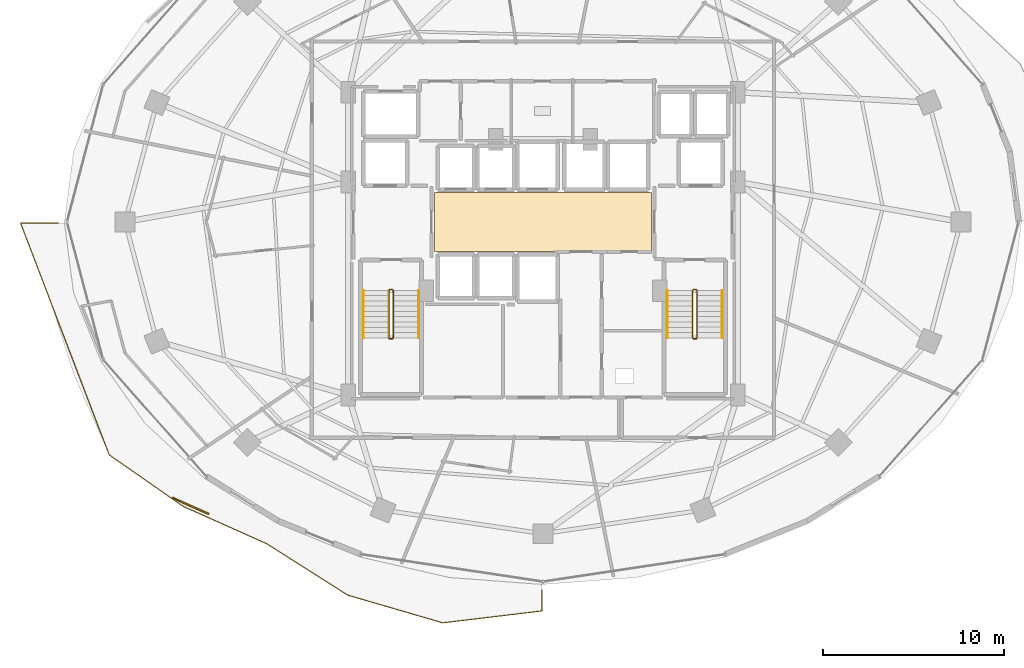
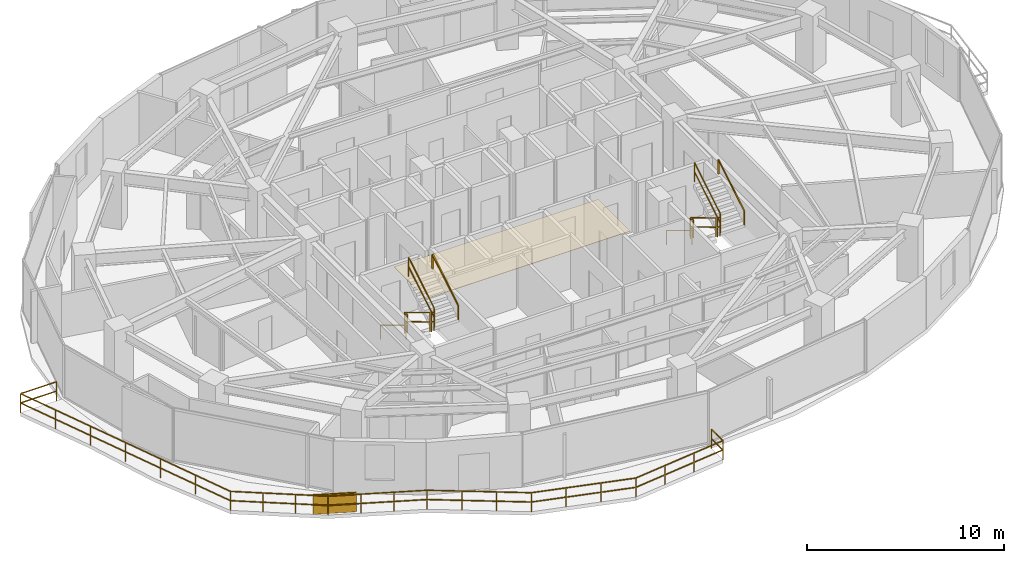
# One storey, part 27 of 29: 14 railings, 1 covering, 1 shading device.
"""IFC4 building model written with IfcOpenShell, lengths in metres."""

from ifc_helpers import new_model, si_unit, direction, frame, origin, origin_2d, place, context, subcontext, project, spatial, polyline, rectangle, outline, extrude, material, layer, layer_set, type_object, element, save


model = new_model("IFC4")

# Units and contexts
model_context = context("Model", 3, precision=1e-05, world=origin(), true_north=direction((0.0, 1.0)))
body_context = subcontext(model_context, "Body", "Model", "MODEL_VIEW")
ifc_project = project(units=[si_unit("LENGTHUNIT", "METRE"), si_unit("AREAUNIT", "SQUARE_METRE"), si_unit("VOLUMEUNIT", "CUBIC_METRE"), si_unit("PLANEANGLEUNIT", "RADIAN"), si_unit("MASSUNIT", "GRAM", prefix="KILO")], contexts=[model_context])

# Site, building, storey
site_placement = place(None, origin())
site = spatial("IfcSite", under=ifc_project, at=site_placement, CompositionType="ELEMENT")
building_placement = place(site_placement, origin())
building = spatial("IfcBuilding", under=site, at=building_placement, Name="Vorneva Point Tower", CompositionType="ELEMENT")
storey_placement = place(building_placement, frame((0.0, 0.0, 82.300048828125)))
storey = spatial("IfcBuildingStorey", under=building, at=storey_placement, Name="L21", CompositionType="ELEMENT", Elevation=82.300048828125)

# Covering
ifc_material_1 = material(Name="Acoustic wool hospitality carpet", Category="textile")
ifc_layer = layer(ifc_material_1, 0.01806640625)
ifc_layer_set = layer_set([ifc_layer], Name="Acoustic wool hospitality carpet")
covering_type = type_object("IfcCoveringType", Name="COV-FLR-CRP", PredefinedType="FLOORING", material=ifc_layer_set)
covering_placement = place(storey_placement, frame((0.0, 0.0, -0.005126953125)))
element("IfcCovering", 1, at=covering_placement, inside=storey, type_object=covering_type, Name="L21 Lift Lobby Floor Finish", PredefinedType="FLOORING", context=body_context, shape_type="SweptSolid", body=[
    extrude(outline(polyline([(32.02001953125, 24.3701171875), (43.97998046875, 24.3701171875), (43.97998046875, 27.6298828125), (32.02001953125, 27.6298828125), (32.02001953125, 24.3701171875)])), origin(), (0.0, 0.0, 1.0), 0.023193359375),
])

# Railings
ifc_material_2 = material(Name="Pale anodised aluminium", Category="aluminium")
railing_type_1 = type_object("IfcRailingType", Name="RL-BAL-1200", PredefinedType="BALUSTRADE", material=ifc_material_2)
railing_1_placement = place(storey_placement, frame((37.949951171875, 4.5390625, 0.0)))
element("IfcRailing", 2, at=railing_1_placement, inside=storey, type_object=railing_type_1, Name="L21 Wave Balcony Balustrade SW.1", PredefinedType="BALUSTRADE", context=body_context, shape_type="SweptSolid", body=[
    extrude(rectangle(XDim=0.048095703125, YDim=0.048095703125, at=origin_2d()), frame((0.0, 0.0, 1.17578125), z_axis=(0.0, 1.0, 0.0), x_axis=(-1.0, 0.0, 0.0)), (0.0, 0.0, 1.0), 1.143798828125),
    extrude(rectangle(XDim=0.048095703125, YDim=0.048095703125, at=origin_2d()), frame((0.0, 0.0, 0.60009765625), z_axis=(0.0, 1.0, 0.0), x_axis=(-1.0, 0.0, 0.0)), (0.0, 0.0, 1.0), 1.143798828125),
    extrude(rectangle(XDim=0.0419921875, YDim=0.0419921875, at=origin_2d()), origin(), (0.0, 0.0, 1.0), 1.15185546875),
    extrude(rectangle(XDim=0.0419921875, YDim=0.0419921875, at=origin_2d()), frame((0.0, 1.143798828125, 0.0)), (0.0, 0.0, 1.0), 1.15185546875),
])
railing_2_placement = place(storey_placement, frame((11.28369140625, 25.949951171875, 0.0)))
element("IfcRailing", 3, at=railing_2_placement, inside=storey, type_object=railing_type_1, Name="L21 Wave Balcony Balustrade SW.2", PredefinedType="BALUSTRADE", context=body_context, shape_type="SweptSolid", body=[
    extrude(rectangle(XDim=0.048095703125, YDim=0.048095703125, at=origin_2d()), frame((0.0, 0.0, 1.17578125), z_axis=(-1.0, 0.0, 0.0), x_axis=(0.0, -1.0, 0.0)), (0.0, 0.0, 1.0), 2.109375),
    extrude(rectangle(XDim=0.048095703125, YDim=0.048095703125, at=origin_2d()), frame((0.0, 0.0, 0.60009765625), z_axis=(-1.0, 0.0, 0.0), x_axis=(0.0, -1.0, 0.0)), (0.0, 0.0, 1.0), 2.109375),
    extrude(rectangle(XDim=0.048095703125, YDim=0.048095703125, at=origin_2d()), frame((-2.109375, 0.0, 1.17578125), z_axis=(0.357233879575, -0.934014965235, 0.0), x_axis=(0.934014965235, 0.357233879575, 0.0)), (0.0, 0.0, 1.0), 13.7099609375),
    extrude(rectangle(XDim=0.048095703125, YDim=0.048095703125, at=origin_2d()), frame((-2.109375, 0.0, 0.60009765625), z_axis=(0.357233879575, -0.934014965235, 0.0), x_axis=(0.934014965235, 0.357233879575, 0.0)), (0.0, 0.0, 1.0), 13.7099609375),
    extrude(rectangle(XDim=0.048095703125, YDim=0.048095703125, at=origin_2d()), frame((2.788330078125, -12.805419921875, 1.17578125), z_axis=(0.820822157704, -0.571183845554, 0.0), x_axis=(0.571183845554, 0.820822157704, 0.0)), (0.0, 0.0, 1.0), 4.973876953125),
    extrude(rectangle(XDim=0.048095703125, YDim=0.048095703125, at=origin_2d()), frame((2.788330078125, -12.805419921875, 0.60009765625), z_axis=(0.820822157704, -0.571183845554, 0.0), x_axis=(0.571183845554, 0.820822157704, 0.0)), (0.0, 0.0, 1.0), 4.973876953125),
    extrude(rectangle(XDim=0.048095703125, YDim=0.048095703125, at=origin_2d()), frame((6.87109375, -15.646484375, 1.17578125), z_axis=(0.912903646088, -0.408175125355, 0.0), x_axis=(0.408175125355, 0.912903646088, 0.0)), (0.0, 0.0, 1.0), 5.046875),
    extrude(rectangle(XDim=0.048095703125, YDim=0.048095703125, at=origin_2d()), frame((6.87109375, -15.646484375, 0.60009765625), z_axis=(0.912903646088, -0.408175125355, 0.0), x_axis=(0.408175125355, 0.912903646088, 0.0)), (0.0, 0.0, 1.0), 5.046875),
    extrude(rectangle(XDim=0.048095703125, YDim=0.048095703125, at=origin_2d()), frame((11.478515625, -17.70654296875, 1.17578125), z_axis=(0.844344261875, -0.535801052107, 0.0), x_axis=(0.535801052107, 0.844344261875, 0.0)), (0.0, 0.0, 1.0), 5.295166015625),
    extrude(rectangle(XDim=0.048095703125, YDim=0.048095703125, at=origin_2d()), frame((11.478515625, -17.70654296875, 0.60009765625), z_axis=(0.844344261875, -0.535801052107, 0.0), x_axis=(0.535801052107, 0.844344261875, 0.0)), (0.0, 0.0, 1.0), 5.295166015625),
    extrude(rectangle(XDim=0.048095703125, YDim=0.048095703125, at=origin_2d()), frame((15.949462890625, -20.543701171875, 1.17578125), z_axis=(0.960122174174, -0.279580776627, 0.0), x_axis=(0.279580776627, 0.960122174174, 0.0)), (0.0, 0.0, 1.0), 5.456787109375),
    extrude(rectangle(XDim=0.048095703125, YDim=0.048095703125, at=origin_2d()), frame((15.949462890625, -20.543701171875, 0.60009765625), z_axis=(0.960122174174, -0.279580776627, 0.0), x_axis=(0.279580776627, 0.960122174174, 0.0)), (0.0, 0.0, 1.0), 5.456787109375),
    extrude(rectangle(XDim=0.048095703125, YDim=0.048095703125, at=origin_2d()), frame((21.188720703125, -22.0693359375, 1.17578125), z_axis=(0.992852318004, 0.119349380534, 0.0), x_axis=(-0.119349380534, 0.992852318004, 0.0)), (0.0, 0.0, 1.0), 5.51708984375),
    extrude(rectangle(XDim=0.048095703125, YDim=0.048095703125, at=origin_2d()), frame((21.188720703125, -22.0693359375, 0.60009765625), z_axis=(0.992852318004, 0.119349380534, 0.0), x_axis=(-0.119349380534, 0.992852318004, 0.0)), (0.0, 0.0, 1.0), 5.51708984375),
    extrude(rectangle(XDim=0.0419921875, YDim=0.0419921875, at=origin_2d()), origin(), (0.0, 0.0, 1.0), 1.15185546875),
    extrude(rectangle(XDim=0.0419921875, YDim=0.0419921875, at=origin_2d()), frame((-2.109375, 0.0, 0.0)), (0.0, 0.0, 1.0), 1.15185546875),
    extrude(rectangle(XDim=0.0419921875, YDim=0.0419921875, at=origin_2d()), frame((-1.29296875, -2.13427734375, 0.0)), (0.0, 0.0, 1.0), 1.15185546875),
    extrude(rectangle(XDim=0.0419921875, YDim=0.0419921875, at=origin_2d()), frame((-0.476806640625, -4.2685546875, 0.0)), (0.0, 0.0, 1.0), 1.15185546875),
    extrude(rectangle(XDim=0.0419921875, YDim=0.0419921875, at=origin_2d()), frame((0.33935546875, -6.40283203125, 0.0)), (0.0, 0.0, 1.0), 1.15185546875),
    extrude(rectangle(XDim=0.0419921875, YDim=0.0419921875, at=origin_2d()), frame((1.15576171875, -8.536865234375, 0.0)), (0.0, 0.0, 1.0), 1.15185546875),
    extrude(rectangle(XDim=0.0419921875, YDim=0.0419921875, at=origin_2d()), frame((1.97216796875, -10.671142578125, 0.0)), (0.0, 0.0, 1.0), 1.15185546875),
    extrude(rectangle(XDim=0.0419921875, YDim=0.0419921875, at=origin_2d()), frame((2.788330078125, -12.805419921875, 0.0)), (0.0, 0.0, 1.0), 1.15185546875),
    extrude(rectangle(XDim=0.0419921875, YDim=0.0419921875, at=origin_2d()), frame((4.149169921875, -13.75244140625, 0.0)), (0.0, 0.0, 1.0), 1.15185546875),
    extrude(rectangle(XDim=0.0419921875, YDim=0.0419921875, at=origin_2d()), frame((5.51025390625, -14.699462890625, 0.0)), (0.0, 0.0, 1.0), 1.15185546875),
    extrude(rectangle(XDim=0.0419921875, YDim=0.0419921875, at=origin_2d()), frame((6.87109375, -15.646484375, 0.0)), (0.0, 0.0, 1.0), 1.15185546875),
    extrude(rectangle(XDim=0.0419921875, YDim=0.0419921875, at=origin_2d()), frame((8.406982421875, -16.333251953125, 0.0)), (0.0, 0.0, 1.0), 1.15185546875),
    extrude(rectangle(XDim=0.0419921875, YDim=0.0419921875, at=origin_2d()), frame((9.942626953125, -17.019775390625, 0.0)), (0.0, 0.0, 1.0), 1.15185546875),
    extrude(rectangle(XDim=0.0419921875, YDim=0.0419921875, at=origin_2d()), frame((11.478515625, -17.70654296875, 0.0)), (0.0, 0.0, 1.0), 1.15185546875),
    extrude(rectangle(XDim=0.0419921875, YDim=0.0419921875, at=origin_2d()), frame((12.96875, -18.65234375, 0.0)), (0.0, 0.0, 1.0), 1.15185546875),
    extrude(rectangle(XDim=0.0419921875, YDim=0.0419921875, at=origin_2d()), frame((14.459228515625, -19.597900390625, 0.0)), (0.0, 0.0, 1.0), 1.15185546875),
    extrude(rectangle(XDim=0.0419921875, YDim=0.0419921875, at=origin_2d()), frame((15.949462890625, -20.543701171875, 0.0)), (0.0, 0.0, 1.0), 1.15185546875),
    extrude(rectangle(XDim=0.0419921875, YDim=0.0419921875, at=origin_2d()), frame((17.69580078125, -21.05224609375, 0.0)), (0.0, 0.0, 1.0), 1.15185546875),
    extrude(rectangle(XDim=0.0419921875, YDim=0.0419921875, at=origin_2d()), frame((19.4423828125, -21.560791015625, 0.0)), (0.0, 0.0, 1.0), 1.15185546875),
    extrude(rectangle(XDim=0.0419921875, YDim=0.0419921875, at=origin_2d()), frame((21.188720703125, -22.0693359375, 0.0)), (0.0, 0.0, 1.0), 1.15185546875),
    extrude(rectangle(XDim=0.0419921875, YDim=0.0419921875, at=origin_2d()), frame((23.0146484375, -21.849853515625, 0.0)), (0.0, 0.0, 1.0), 1.15185546875),
    extrude(rectangle(XDim=0.0419921875, YDim=0.0419921875, at=origin_2d()), frame((24.84033203125, -21.63037109375, 0.0)), (0.0, 0.0, 1.0), 1.15185546875),
    extrude(rectangle(XDim=0.0419921875, YDim=0.0419921875, at=origin_2d()), frame((26.666259765625, -21.410888671875, 0.0)), (0.0, 0.0, 1.0), 1.15185546875),
])
ifc_material_3 = material(Name="Brushed stainless steel S304", Category="steel")
railing_type_2 = type_object("IfcRailingType", Name="RL-HND-920", PredefinedType="HANDRAIL", material=ifc_material_3)
railing_3_placement = place(storey_placement, frame((28.10009765625, 22.219970703125, 0.175048828125)))
element("IfcRailing", 4, at=railing_3_placement, inside=storey, type_object=railing_type_2, Name="L21 ST1 stair handrail 1", PredefinedType="HANDRAIL", context=body_context, shape_type="SweptSolid", body=[
    extrude(rectangle(XDim=0.048095703125, YDim=0.048095703125, at=origin_2d()), frame((0.0, 0.0, 0.8759765625), z_axis=(0.0, -0.85618277418, 0.516673066065), x_axis=(1.0, 0.0, 0.0)), (0.0, 0.0, 1.0), 3.04833984375),
    extrude(rectangle(XDim=0.0419921875, YDim=0.0419921875, at=origin_2d()), origin(), (0.0, 0.0, 1.0), 0.851806640625),
    extrude(rectangle(XDim=0.0419921875, YDim=0.0419921875, at=origin_2d()), frame((0.0, -2.60986328125, 1.574951171875)), (0.0, 0.0, 1.0), 0.851806640625),
])
railing_4_placement = place(storey_placement, frame((31.14990234375, 19.610107421875, 1.925048828125)))
element("IfcRailing", 5, at=railing_4_placement, inside=storey, type_object=railing_type_2, Name="L21 ST1 stair handrail 2", PredefinedType="HANDRAIL", context=body_context, shape_type="SweptSolid", body=[
    extrude(rectangle(XDim=0.048095703125, YDim=0.048095703125, at=origin_2d()), frame((0.0, 0.0, 0.8759765625), z_axis=(0.0, 0.85618277418, 0.516673066065), x_axis=(-1.0, 0.0, 0.0)), (0.0, 0.0, 1.0), 3.04833984375),
    extrude(rectangle(XDim=0.0419921875, YDim=0.0419921875, at=origin_2d()), origin(), (0.0, 0.0, 1.0), 0.851806640625),
    extrude(rectangle(XDim=0.0419921875, YDim=0.0419921875, at=origin_2d()), frame((0.0, 2.60986328125, 1.574951171875)), (0.0, 0.0, 1.0), 0.851806640625),
])
railing_5_placement = place(storey_placement, frame((44.85009765625, 22.219970703125, 0.175048828125)))
element("IfcRailing", 6, at=railing_5_placement, inside=storey, type_object=railing_type_2, Name="L21 ST2 stair handrail 1", PredefinedType="HANDRAIL", context=body_context, shape_type="SweptSolid", body=[
    extrude(rectangle(XDim=0.048095703125, YDim=0.048095703125, at=origin_2d()), frame((0.0, 0.0, 0.8759765625), z_axis=(0.0, -0.85618277418, 0.516673066065), x_axis=(1.0, 0.0, 0.0)), (0.0, 0.0, 1.0), 3.04833984375),
    extrude(rectangle(XDim=0.0419921875, YDim=0.0419921875, at=origin_2d()), origin(), (0.0, 0.0, 1.0), 0.851806640625),
    extrude(rectangle(XDim=0.0419921875, YDim=0.0419921875, at=origin_2d()), frame((0.0, -2.60986328125, 1.574951171875)), (0.0, 0.0, 1.0), 0.851806640625),
])
railing_6_placement = place(storey_placement, frame((47.89990234375, 19.610107421875, 1.925048828125)))
element("IfcRailing", 7, at=railing_6_placement, inside=storey, type_object=railing_type_2, Name="L21 ST2 stair handrail 2", PredefinedType="HANDRAIL", context=body_context, shape_type="SweptSolid", body=[
    extrude(rectangle(XDim=0.048095703125, YDim=0.048095703125, at=origin_2d()), frame((0.0, 0.0, 0.8759765625), z_axis=(0.0, 0.85618277418, 0.516673066065), x_axis=(-1.0, 0.0, 0.0)), (0.0, 0.0, 1.0), 3.04833984375),
    extrude(rectangle(XDim=0.0419921875, YDim=0.0419921875, at=origin_2d()), origin(), (0.0, 0.0, 1.0), 0.851806640625),
    extrude(rectangle(XDim=0.0419921875, YDim=0.0419921875, at=origin_2d()), frame((0.0, 2.60986328125, 1.574951171875)), (0.0, 0.0, 1.0), 0.851806640625),
])
railing_type_3 = type_object("IfcRailingType", Name="RL-STG-1100", PredefinedType="GUARDRAIL", material=ifc_material_3)
railing_7_placement = place(storey_placement, frame((29.5, 22.219970703125, 0.175048828125)))
element("IfcRailing", 8, at=railing_7_placement, inside=storey, type_object=railing_type_3, Name="L21 ST1 stair guard 1", PredefinedType="GUARDRAIL", context=body_context, shape_type="SweptSolid", body=[
    extrude(rectangle(XDim=0.048095703125, YDim=0.048095703125, at=origin_2d()), frame((0.0, 0.0, 1.17578125), z_axis=(0.0, -0.85618277418, 0.516673066065), x_axis=(1.0, 0.0, 0.0)), (0.0, 0.0, 1.0), 3.04833984375),
    extrude(rectangle(XDim=0.048095703125, YDim=0.048095703125, at=origin_2d()), frame((0.0, 0.0, 0.60009765625), z_axis=(0.0, -0.85618277418, 0.516673066065), x_axis=(1.0, 0.0, 0.0)), (0.0, 0.0, 1.0), 3.04833984375),
    extrude(rectangle(XDim=0.0419921875, YDim=0.0419921875, at=origin_2d()), origin(), (0.0, 0.0, 1.0), 1.15185546875),
    extrude(rectangle(XDim=0.0419921875, YDim=0.0419921875, at=origin_2d()), frame((0.0, -2.60986328125, 1.574951171875)), (0.0, 0.0, 1.0), 1.15185546875),
])
railing_8_placement = place(storey_placement, frame((29.550048828125, 19.56005859375, 1.75)))
element("IfcRailing", 9, at=railing_8_placement, inside=storey, type_object=railing_type_3, Name="L21 ST1 stair guard 2", PredefinedType="GUARDRAIL", context=body_context, shape_type="SweptSolid", body=[
    extrude(rectangle(XDim=0.048095703125, YDim=0.048095703125, at=origin_2d()), frame((0.0, 0.0, 1.17578125), z_axis=(1.0, 0.0, 0.0), x_axis=(0.0, 1.0, 0.0)), (0.0, 0.0, 1.0), 0.14990234375),
    extrude(rectangle(XDim=0.048095703125, YDim=0.048095703125, at=origin_2d()), frame((0.0, 0.0, 0.60009765625), z_axis=(1.0, 0.0, 0.0), x_axis=(0.0, 1.0, 0.0)), (0.0, 0.0, 1.0), 0.14990234375),
    extrude(rectangle(XDim=0.0419921875, YDim=0.0419921875, at=origin_2d()), origin(), (0.0, 0.0, 1.0), 1.15185546875),
    extrude(rectangle(XDim=0.0419921875, YDim=0.0419921875, at=origin_2d()), frame((0.14990234375, 0.0, 0.0)), (0.0, 0.0, 1.0), 1.15185546875),
])
railing_9_placement = place(storey_placement, frame((29.75, 19.610107421875, 1.925048828125)))
element("IfcRailing", 10, at=railing_9_placement, inside=storey, type_object=railing_type_3, Name="L21 ST1 stair guard 3", PredefinedType="GUARDRAIL", context=body_context, shape_type="SweptSolid", body=[
    extrude(rectangle(XDim=0.048095703125, YDim=0.048095703125, at=origin_2d()), frame((0.0, 0.0, 1.17578125), z_axis=(0.0, 0.85618277418, 0.516673066065), x_axis=(-1.0, 0.0, 0.0)), (0.0, 0.0, 1.0), 3.04833984375),
    extrude(rectangle(XDim=0.048095703125, YDim=0.048095703125, at=origin_2d()), frame((0.0, 0.0, 0.60009765625), z_axis=(0.0, 0.85618277418, 0.516673066065), x_axis=(-1.0, 0.0, 0.0)), (0.0, 0.0, 1.0), 3.04833984375),
    extrude(rectangle(XDim=0.0419921875, YDim=0.0419921875, at=origin_2d()), origin(), (0.0, 0.0, 1.0), 1.15185546875),
    extrude(rectangle(XDim=0.0419921875, YDim=0.0419921875, at=origin_2d()), frame((0.0, 2.60986328125, 1.574951171875)), (0.0, 0.0, 1.0), 1.15185546875),
])
railing_10_placement = place(storey_placement, frame((29.550048828125, 22.27001953125, 0.0)))
element("IfcRailing", 11, at=railing_10_placement, inside=storey, type_object=railing_type_3, Name="L21 ST1 stair guard 4", PredefinedType="GUARDRAIL", context=body_context, shape_type="SweptSolid", body=[
    extrude(rectangle(XDim=0.048095703125, YDim=0.048095703125, at=origin_2d()), frame((0.0, 0.0, 1.17578125), z_axis=(1.0, 0.0, 0.0), x_axis=(0.0, 1.0, 0.0)), (0.0, 0.0, 1.0), 0.14990234375),
    extrude(rectangle(XDim=0.048095703125, YDim=0.048095703125, at=origin_2d()), frame((0.0, 0.0, 0.60009765625), z_axis=(1.0, 0.0, 0.0), x_axis=(0.0, 1.0, 0.0)), (0.0, 0.0, 1.0), 0.14990234375),
    extrude(rectangle(XDim=0.0419921875, YDim=0.0419921875, at=origin_2d()), origin(), (0.0, 0.0, 1.0), 1.15185546875),
    extrude(rectangle(XDim=0.0419921875, YDim=0.0419921875, at=origin_2d()), frame((0.14990234375, 0.0, 0.0)), (0.0, 0.0, 1.0), 1.15185546875),
])
railing_11_placement = place(storey_placement, frame((46.25, 22.219970703125, 0.175048828125)))
element("IfcRailing", 12, at=railing_11_placement, inside=storey, type_object=railing_type_3, Name="L21 ST2 stair guard 1", PredefinedType="GUARDRAIL", context=body_context, shape_type="SweptSolid", body=[
    extrude(rectangle(XDim=0.048095703125, YDim=0.048095703125, at=origin_2d()), frame((0.0, 0.0, 1.17578125), z_axis=(0.0, -0.85618277418, 0.516673066065), x_axis=(1.0, 0.0, 0.0)), (0.0, 0.0, 1.0), 3.04833984375),
    extrude(rectangle(XDim=0.048095703125, YDim=0.048095703125, at=origin_2d()), frame((0.0, 0.0, 0.60009765625), z_axis=(0.0, -0.85618277418, 0.516673066065), x_axis=(1.0, 0.0, 0.0)), (0.0, 0.0, 1.0), 3.04833984375),
    extrude(rectangle(XDim=0.0419921875, YDim=0.0419921875, at=origin_2d()), origin(), (0.0, 0.0, 1.0), 1.15185546875),
    extrude(rectangle(XDim=0.0419921875, YDim=0.0419921875, at=origin_2d()), frame((0.0, -2.60986328125, 1.574951171875)), (0.0, 0.0, 1.0), 1.15185546875),
])
railing_12_placement = place(storey_placement, frame((46.300048828125, 19.56005859375, 1.75)))
element("IfcRailing", 13, at=railing_12_placement, inside=storey, type_object=railing_type_3, Name="L21 ST2 stair guard 2", PredefinedType="GUARDRAIL", context=body_context, shape_type="SweptSolid", body=[
    extrude(rectangle(XDim=0.048095703125, YDim=0.048095703125, at=origin_2d()), frame((0.0, 0.0, 1.17578125), z_axis=(1.0, 0.0, 0.0), x_axis=(0.0, 1.0, 0.0)), (0.0, 0.0, 1.0), 0.14990234375),
    extrude(rectangle(XDim=0.048095703125, YDim=0.048095703125, at=origin_2d()), frame((0.0, 0.0, 0.60009765625), z_axis=(1.0, 0.0, 0.0), x_axis=(0.0, 1.0, 0.0)), (0.0, 0.0, 1.0), 0.14990234375),
    extrude(rectangle(XDim=0.0419921875, YDim=0.0419921875, at=origin_2d()), origin(), (0.0, 0.0, 1.0), 1.15185546875),
    extrude(rectangle(XDim=0.0419921875, YDim=0.0419921875, at=origin_2d()), frame((0.14990234375, 0.0, 0.0)), (0.0, 0.0, 1.0), 1.15185546875),
])
railing_13_placement = place(storey_placement, frame((46.5, 19.610107421875, 1.925048828125)))
element("IfcRailing", 14, at=railing_13_placement, inside=storey, type_object=railing_type_3, Name="L21 ST2 stair guard 3", PredefinedType="GUARDRAIL", context=body_context, shape_type="SweptSolid", body=[
    extrude(rectangle(XDim=0.048095703125, YDim=0.048095703125, at=origin_2d()), frame((0.0, 0.0, 1.17578125), z_axis=(0.0, 0.85618277418, 0.516673066065), x_axis=(-1.0, 0.0, 0.0)), (0.0, 0.0, 1.0), 3.04833984375),
    extrude(rectangle(XDim=0.048095703125, YDim=0.048095703125, at=origin_2d()), frame((0.0, 0.0, 0.60009765625), z_axis=(0.0, 0.85618277418, 0.516673066065), x_axis=(-1.0, 0.0, 0.0)), (0.0, 0.0, 1.0), 3.04833984375),
    extrude(rectangle(XDim=0.0419921875, YDim=0.0419921875, at=origin_2d()), origin(), (0.0, 0.0, 1.0), 1.15185546875),
    extrude(rectangle(XDim=0.0419921875, YDim=0.0419921875, at=origin_2d()), frame((0.0, 2.60986328125, 1.574951171875)), (0.0, 0.0, 1.0), 1.15185546875),
])
railing_14_placement = place(storey_placement, frame((46.300048828125, 22.27001953125, 0.0)))
element("IfcRailing", 15, at=railing_14_placement, inside=storey, type_object=railing_type_3, Name="L21 ST2 stair guard 4", PredefinedType="GUARDRAIL", context=body_context, shape_type="SweptSolid", body=[
    extrude(rectangle(XDim=0.048095703125, YDim=0.048095703125, at=origin_2d()), frame((0.0, 0.0, 1.17578125), z_axis=(1.0, 0.0, 0.0), x_axis=(0.0, 1.0, 0.0)), (0.0, 0.0, 1.0), 0.14990234375),
    extrude(rectangle(XDim=0.048095703125, YDim=0.048095703125, at=origin_2d()), frame((0.0, 0.0, 0.60009765625), z_axis=(1.0, 0.0, 0.0), x_axis=(0.0, 1.0, 0.0)), (0.0, 0.0, 1.0), 0.14990234375),
    extrude(rectangle(XDim=0.0419921875, YDim=0.0419921875, at=origin_2d()), origin(), (0.0, 0.0, 1.0), 1.15185546875),
    extrude(rectangle(XDim=0.0419921875, YDim=0.0419921875, at=origin_2d()), frame((0.14990234375, 0.0, 0.0)), (0.0, 0.0, 1.0), 1.15185546875),
])

# Shading device
shading_device_type = type_object("IfcShadingDeviceType", Name="SHD-JAL-1200", PredefinedType="JALOUSIE", material=ifc_material_2)
shading_device_placement = place(storey_placement, frame((18.55859375, 10.337646484375, -0.02001953125), z_axis=(0.0, 0.0, 1.0), x_axis=(0.91289830637, -0.408187067687, 0.0)))
element("IfcShadingDevice", 16, at=shading_device_placement, inside=storey, type_object=shading_device_type, Name="L21 Balcony Vertical-Greenery Planter Screen SW.2", PredefinedType="JALOUSIE", context=body_context, shape_type="SweptSolid", body=[
    extrude(rectangle(XDim=2.199951171875, YDim=0.080078125, at=origin_2d()), origin(), (0.0, 0.0, 1.0), 1.199951171875),
])

save(model, "model.ifc")
